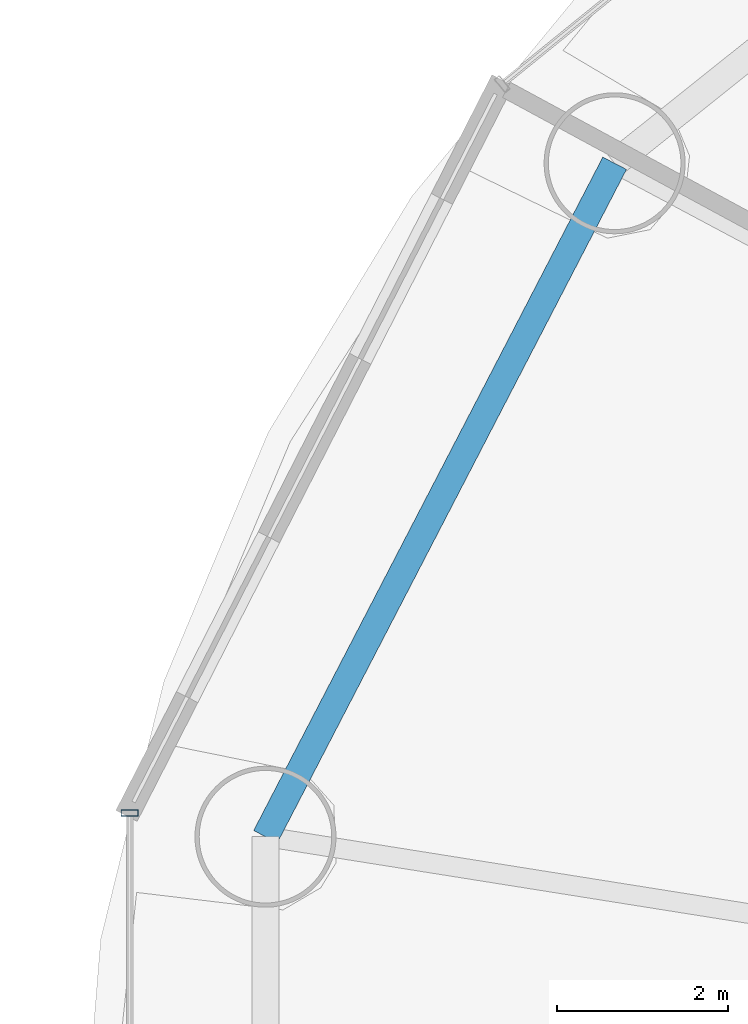
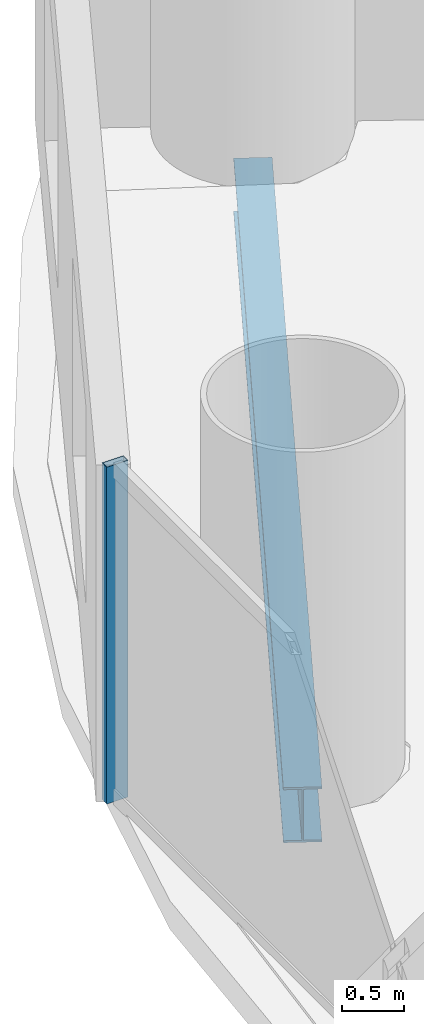
# One storey, part 8 of 29: 1 beam, 1 member, 1 element without a shape of its own.
"""IFC4 building model written with IfcOpenShell, lengths in metres."""

from ifc_helpers import new_model, si_unit, direction, frame, origin, origin_2d, place, context, subcontext, project, spatial, hollow_rectangle, i_section, extrude, source, transform, mapped, material, material_profile, profile_set, type_object, element, aggregate, save


model = new_model("IFC4")

# Units and contexts
model_context = context("Model", 3, precision=1e-05, world=origin(), true_north=direction((-0.2419218956, 0.970295726276)))
body_context = subcontext(model_context, "Body", "Model", "MODEL_VIEW")
ifc_project = project(units=[si_unit("LENGTHUNIT", "METRE"), si_unit("AREAUNIT", "SQUARE_METRE"), si_unit("VOLUMEUNIT", "CUBIC_METRE"), si_unit("PLANEANGLEUNIT", "RADIAN"), si_unit("MASSUNIT", "GRAM", prefix="KILO")], contexts=[model_context])

# Site, building, storey
site_placement = place(None, origin())
site = spatial("IfcSite", under=ifc_project, at=site_placement, CompositionType="ELEMENT")
building_placement = place(site_placement, origin())
building = spatial("IfcBuilding", under=site, at=building_placement, Name="Cobrevalo Terracotta Tower", CompositionType="ELEMENT")
storey_placement = place(building_placement, frame((0.0, 0.0, 52.800048828125)))
storey = spatial("IfcBuildingStorey", under=building, at=storey_placement, Name="L13", CompositionType="ELEMENT", Elevation=52.800048828125)

# Beam
ifc_material_1 = material(Name="Steel S355", Category="steel")
ifc_material_profile_1 = material_profile(ifc_material_1, i_section(OverallWidth=0.31201171875, OverallDepth=0.54296875, WebThickness=0.0126953125, FlangeThickness=0.020263671875, at=origin_2d()), Name="W 530x150")
ifc_profile_set_1 = profile_set([ifc_material_profile_1], Name="Steel S355")
beam_type = type_object("IfcBeamType", Name="Structural Spandrel W 530x150 (Steel S355)", PredefinedType="SPANDREL", material=ifc_profile_set_1)
beam_placement = place(storey_placement, frame((15.25927734375, 38.939208984375, -0.551513671875), z_axis=(-0.460285838799, -0.88777077368, 0.0), x_axis=(0.88777077368, -0.460285838799, 0.0)))
element("IfcBeam", 1, at=beam_placement, inside=storey, type_object=beam_type, Name="L13 perimeter ring spandrel 07", PredefinedType="SPANDREL", context=body_context, shape_type="SweptSolid", body=[
    extrude(i_section(OverallWidth=0.31201171875, OverallDepth=0.54296875, WebThickness=0.0126953125, FlangeThickness=0.020263671875, at=origin_2d()), origin(), (0.0, 0.0, 1.0), 8.8720703125),
])

# Curtain wall, member
ifc_material_2 = material(Name="Anodized aluminium", Category="aluminium")
curtain_wall_type = type_object("IfcCurtainWallType", Name="Lower-tower unitised acoustic low-E curtain wall CW-U1", PredefinedType="NOTDEFINED", material=ifc_material_2)
curtain_wall_placement = place(storey_placement, origin())
curtain_wall = element("IfcCurtainWall", 2, at=curtain_wall_placement, inside=storey, type_object=curtain_wall_type, Name="L13 curtain wall CW-L13-S08", PredefinedType="NOTDEFINED")
ifc_material_profile_2 = material_profile(ifc_material_2, hollow_rectangle(XDim=0.074951171875, YDim=0.199951171875, WallThickness=0.0048828125, at=origin_2d()), Name="CWM 75x200")
ifc_profile_set_2 = profile_set([ifc_material_profile_2], Name="Anodized aluminium")
member_type = type_object("IfcMemberType", Name="Lower/mid tower unitised mullion 75x200", PredefinedType="MULLION", material=ifc_profile_set_2)
shared_shape = source(origin(), body_context, "Body", "SweptSolid", [
    extrude(hollow_rectangle(XDim=0.074951171875, YDim=0.199951171875, WallThickness=0.0048828125, at=origin_2d()), origin(), (0.0, 0.0, 1.0), 3.320068359375),
])
member_placement = place(storey_placement, frame((9.586669921875, 31.3388671875, 0.0), z_axis=(0.0, 0.0, 1.0), x_axis=(0.0, -1.0, 0.0)))
member = element("IfcMember", 3, at=member_placement, type_object=member_type, Name="CW-L13-S08 vertical mullion 01", PredefinedType="MULLION", context=body_context, shape_type="MappedRepresentation", body=[
    mapped(shared_shape, transform((0.0, 0.0, 0.0), scale=1.0)),
])
aggregate(curtain_wall, [member])

save(model, "model.ifc")
